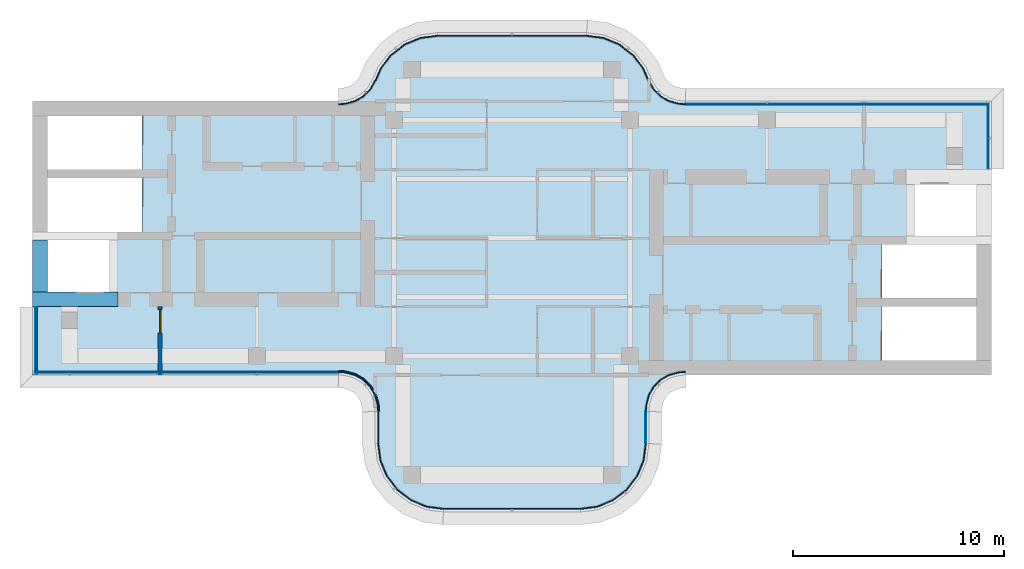
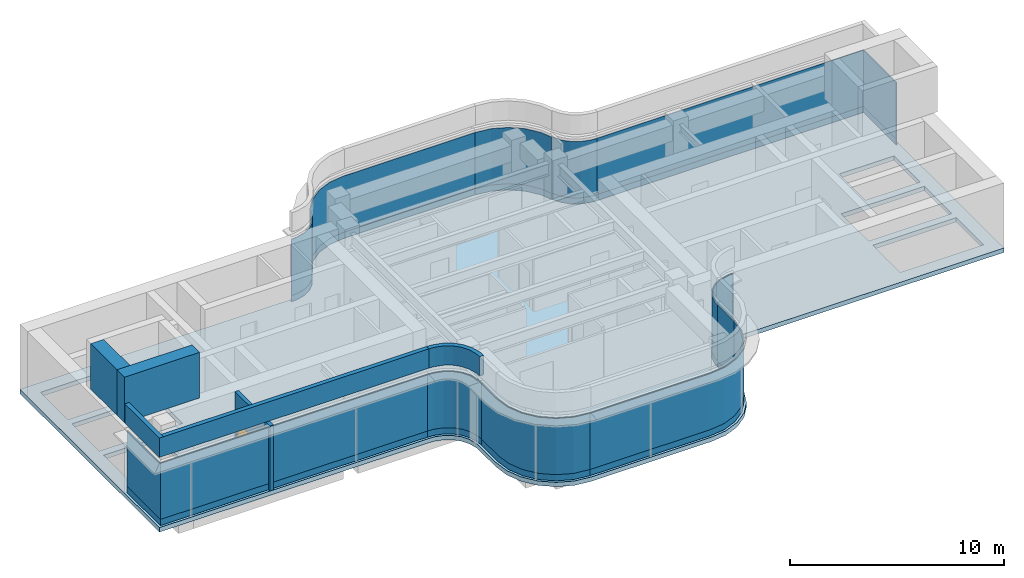
# One storey, part 5 of 9: 22 plates, 6 walls, 1 door, 1 slab, 1 opening, 11 elements without a shape of their own.
"""IFC4 building model written with IfcOpenShell, lengths in metres."""

from ifc_helpers import new_model, si_unit, direction, frame, frame_2d, origin, place, context, subcontext, project, spatial, polyline, rectangle, outline, extrude, source, transform, mapped, material, layer, layer_set, type_object, element, fill, aggregate, save


model = new_model("IFC4")

# Units and contexts
model_context = context("Model", 3, precision=1e-05, world=origin(), true_north=direction((0.0, 1.0)))
body_context = subcontext(model_context, "Body", "Model", "MODEL_VIEW")
ifc_project = project(units=[si_unit("LENGTHUNIT", "METRE"), si_unit("AREAUNIT", "SQUARE_METRE"), si_unit("VOLUMEUNIT", "CUBIC_METRE"), si_unit("PLANEANGLEUNIT", "RADIAN"), si_unit("MASSUNIT", "GRAM", prefix="KILO")], contexts=[model_context])

# Site, building, storey
site_placement = place(None, origin())
site = spatial("IfcSite", under=ifc_project, at=site_placement, CompositionType="ELEMENT")
building_placement = place(site_placement, origin())
building = spatial("IfcBuilding", under=site, at=building_placement, Name="Trellis Farm Tower", CompositionType="ELEMENT")
storey_placement = place(building_placement, frame((0.0, 0.0, 358.10009765625)))
storey = spatial("IfcBuildingStorey", under=building, at=storey_placement, Name="L81", CompositionType="ELEMENT", Elevation=358.10009765625)

# Curtain wall, plate
ifc_material_1 = material(Name="Aluminium and glass curtain wall", Category="aluminium")
ifc_layer_1 = layer(ifc_material_1, 0.176025390625)
ifc_layer_set_1 = layer_set([ifc_layer_1], Name="CROWN LANTERN CURTAIN WALL CW5")
curtain_wall_type = type_object("IfcCurtainWallType", Name="CROWN LANTERN CURTAIN WALL CW5", PredefinedType="NOTDEFINED", material=ifc_layer_set_1)
placement_1 = place(storey_placement, origin())
curtain_wall_1 = element("IfcCurtainWall", 1, at=placement_1, inside=storey, type_object=curtain_wall_type, Name="CW5 001", PredefinedType="NOTDEFINED")
ifc_material_2 = material(Name="Clear insulated glass", Category="glass")
ifc_layer_2 = layer(ifc_material_2, 0.055908203125)
ifc_layer_set_2 = layer_set([ifc_layer_2], Name="CW5 GLASS PANEL 56")
plate_type_1 = type_object("IfcPlateType", Name="CW5 GLASS PANEL 56", PredefinedType="CURTAIN_PANEL", material=ifc_layer_set_2)
placement_2 = place(storey_placement, frame((0.0, 0.0, 0.349853515625)))
plate_1 = element("IfcPlate", 2, at=placement_2, type_object=plate_type_1, Name="PL5 001", PredefinedType="CURTAIN_PANEL", context=body_context, shape_type="SweptSolid", body=[
    extrude(outline(polyline([(-6.3798828125, -8.2275390625), (-6.3798828125, -9.7421875), (-6.2724609375, -10.559814453125), (-5.959716796875, -11.314453125), (-5.46240234375, -11.96240234375), (-4.814453125, -12.459716796875), (-4.059814453125, -12.7724609375), (-3.2421875, -12.8798828125), (-3.238525390625, -12.823974609375), (-4.045166015625, -12.7177734375), (-4.7861328125, -12.410888671875), (-5.422607421875, -11.922607421875), (-5.910888671875, -11.2861328125), (-6.2177734375, -10.545166015625), (-6.323974609375, -9.738525390625), (-6.323974609375, -8.2255859375), (-6.3798828125, -8.2275390625)])), origin(), (0.0, 0.0, 1.0), 3.199951171875),
])

curtain_wall_2 = element("IfcCurtainWall", 3, at=placement_1, inside=storey, type_object=curtain_wall_type, Name="CW5 002", PredefinedType="NOTDEFINED")
plate_2 = element("IfcPlate", 4, at=placement_2, type_object=plate_type_1, Name="PL5 002", PredefinedType="CURTAIN_PANEL", context=body_context, shape_type="SweptSolid", body=[
    extrude(outline(polyline([(-3.2421875, -12.8798828125), (3.2421875, -12.8798828125), (4.059814453125, -12.7724609375), (4.814453125, -12.459716796875), (5.46240234375, -11.96240234375), (5.959716796875, -11.314453125), (6.2724609375, -10.559814453125), (6.3798828125, -9.7421875), (6.323974609375, -9.738525390625), (6.2177734375, -10.545166015625), (5.910888671875, -11.2861328125), (5.422607421875, -11.922607421875), (4.7861328125, -12.410888671875), (4.045166015625, -12.7177734375), (3.238525390625, -12.823974609375), (-3.238525390625, -12.823974609375), (-3.2421875, -12.8798828125)])), origin(), (0.0, 0.0, 1.0), 3.199951171875),
])

curtain_wall_3 = element("IfcCurtainWall", 5, at=placement_1, inside=storey, type_object=curtain_wall_type, Name="CW5 003", PredefinedType="NOTDEFINED")
plate_3 = element("IfcPlate", 6, at=placement_2, type_object=plate_type_1, Name="PL5 003", PredefinedType="CURTAIN_PANEL", context=body_context, shape_type="SweptSolid", body=[
    extrude(outline(polyline([(6.3798828125, -9.7421875), (6.3798828125, -8.2275390625), (6.323974609375, -8.2255859375), (6.323974609375, -9.738525390625), (6.3798828125, -9.7421875)])), origin(), (0.0, 0.0, 1.0), 3.199951171875),
])

curtain_wall_4 = element("IfcCurtainWall", 7, at=placement_1, inside=storey, type_object=curtain_wall_type, Name="CW5 004", PredefinedType="NOTDEFINED")
plate_4 = element("IfcPlate", 8, at=placement_2, type_object=plate_type_1, Name="PL5 004", PredefinedType="CURTAIN_PANEL", context=body_context, shape_type="SweptSolid", body=[
    extrude(outline(polyline([(6.3798828125, -8.2275390625), (6.394287109375, -8.0078125), (6.40966796875, -7.89208984375), (6.52490234375, -7.462158203125), (6.7509765625, -7.070556640625), (7.070556640625, -6.7509765625), (7.462158203125, -6.52490234375), (7.89208984375, -6.40966796875), (8.0078125, -6.394287109375), (8.2275390625, -6.3798828125), (8.2255859375, -6.323974609375), (8.002197265625, -6.338623046875), (7.881103515625, -6.3544921875), (7.440673828125, -6.47265625), (7.0361328125, -6.7060546875), (6.7060546875, -7.0361328125), (6.47265625, -7.440673828125), (6.3544921875, -7.881103515625), (6.338623046875, -8.002197265625), (6.323974609375, -8.2255859375), (6.3798828125, -8.2275390625)])), origin(), (0.0, 0.0, 1.0), 3.199951171875),
])

curtain_wall_5 = element("IfcCurtainWall", 9, at=placement_1, inside=storey, type_object=curtain_wall_type, Name="CW5 005", PredefinedType="NOTDEFINED")
plate_5 = element("IfcPlate", 10, at=placement_2, type_object=plate_type_1, Name="PL5 005", PredefinedType="CURTAIN_PANEL", context=body_context, shape_type="SweptSolid", body=[
    extrude(outline(polyline([(22.6298828125, 3.280029296875), (22.6298828125, 6.3798828125), (22.573974609375, 6.323974609375), (22.573974609375, 3.280029296875), (22.6298828125, 3.280029296875)])), origin(), (0.0, 0.0, 1.0), 3.199951171875),
])

curtain_wall_6 = element("IfcCurtainWall", 11, at=placement_1, inside=storey, type_object=curtain_wall_type, Name="CW5 006", PredefinedType="NOTDEFINED")
plate_6 = element("IfcPlate", 12, at=placement_2, type_object=plate_type_1, Name="PL5 006", PredefinedType="CURTAIN_PANEL", context=body_context, shape_type="SweptSolid", body=[
    extrude(outline(polyline([(22.6298828125, 6.3798828125), (8.2275390625, 6.3798828125), (8.2255859375, 6.323974609375), (22.573974609375, 6.323974609375), (22.6298828125, 6.3798828125)])), origin(), (0.0, 0.0, 1.0), 3.199951171875),
])

curtain_wall_7 = element("IfcCurtainWall", 13, at=placement_1, inside=storey, type_object=curtain_wall_type, Name="CW5 007", PredefinedType="NOTDEFINED")
plate_7 = element("IfcPlate", 14, at=placement_2, type_object=plate_type_1, Name="PL5 007", PredefinedType="CURTAIN_PANEL", context=body_context, shape_type="SweptSolid", body=[
    extrude(outline(polyline([(8.2275390625, 6.3798828125), (8.0078125, 6.394287109375), (7.89208984375, 6.40966796875), (7.462158203125, 6.52490234375), (7.070556640625, 6.7509765625), (6.7509765625, 7.070556640625), (6.5283203125, 7.4560546875), (6.490478515625, 7.547607421875), (6.4697265625, 7.5390625), (6.251953125, 8.064453125), (5.754638671875, 8.71240234375), (5.106689453125, 9.209716796875), (4.35205078125, 9.5224609375), (3.534423828125, 9.6298828125), (3.53076171875, 9.573974609375), (4.33740234375, 9.4677734375), (5.078369140625, 9.160888671875), (5.71484375, 8.672607421875), (6.203125, 8.0361328125), (6.439453125, 7.4658203125), (6.460205078125, 7.474365234375), (6.47802734375, 7.431396484375), (6.7060546875, 7.0361328125), (7.0361328125, 6.7060546875), (7.440673828125, 6.47265625), (7.881103515625, 6.3544921875), (8.002197265625, 6.338623046875), (8.2255859375, 6.323974609375), (8.2275390625, 6.3798828125)])), origin(), (0.0, 0.0, 1.0), 3.199951171875),
])

curtain_wall_8 = element("IfcCurtainWall", 15, at=placement_1, inside=storey, type_object=curtain_wall_type, Name="CW5 008", PredefinedType="NOTDEFINED")
plate_8 = element("IfcPlate", 16, at=placement_2, type_object=plate_type_1, Name="PL5 008", PredefinedType="CURTAIN_PANEL", context=body_context, shape_type="SweptSolid", body=[
    extrude(outline(polyline([(3.534423828125, 9.6298828125), (-3.534423828125, 9.6298828125), (-4.35205078125, 9.5224609375), (-5.106689453125, 9.209716796875), (-5.754638671875, 8.71240234375), (-6.251953125, 8.064453125), (-6.4697265625, 7.5390625), (-6.490478515625, 7.547607421875), (-6.5283203125, 7.4560546875), (-6.7509765625, 7.070556640625), (-7.070556640625, 6.7509765625), (-7.462158203125, 6.52490234375), (-7.89208984375, 6.40966796875), (-8.0078125, 6.394287109375), (-8.2275390625, 6.3798828125), (-8.2255859375, 6.323974609375), (-8.002197265625, 6.338623046875), (-7.881103515625, 6.3544921875), (-7.440673828125, 6.47265625), (-7.0361328125, 6.7060546875), (-6.7060546875, 7.0361328125), (-6.47802734375, 7.431396484375), (-6.460205078125, 7.474365234375), (-6.439453125, 7.4658203125), (-6.203125, 8.0361328125), (-5.71484375, 8.672607421875), (-5.078369140625, 9.160888671875), (-4.33740234375, 9.4677734375), (-3.53076171875, 9.573974609375), (3.53076171875, 9.573974609375), (3.534423828125, 9.6298828125)])), origin(), (0.0, 0.0, 1.0), 3.199951171875),
])

curtain_wall_9 = element("IfcCurtainWall", 17, at=placement_1, inside=storey, type_object=curtain_wall_type, Name="CW5 009", PredefinedType="NOTDEFINED")
plate_9 = element("IfcPlate", 18, at=placement_2, type_object=plate_type_1, Name="PL5 009", PredefinedType="CURTAIN_PANEL", context=body_context, shape_type="SweptSolid", body=[
    extrude(outline(polyline([(-22.6298828125, -3.280029296875), (-22.6298828125, -6.3798828125), (-22.573974609375, -6.323974609375), (-22.573974609375, -3.280029296875), (-22.6298828125, -3.280029296875)])), origin(), (0.0, 0.0, 1.0), 3.199951171875),
])

curtain_wall_10 = element("IfcCurtainWall", 19, at=placement_1, inside=storey, type_object=curtain_wall_type, Name="CW5 010", PredefinedType="NOTDEFINED")
plate_10 = element("IfcPlate", 20, at=placement_2, type_object=plate_type_1, Name="PL5 010", PredefinedType="CURTAIN_PANEL", context=body_context, shape_type="SweptSolid", body=[
    extrude(outline(polyline([(-22.6298828125, -6.3798828125), (-8.2275390625, -6.3798828125), (-8.2255859375, -6.323974609375), (-22.573974609375, -6.323974609375), (-22.6298828125, -6.3798828125)])), origin(), (0.0, 0.0, 1.0), 3.199951171875),
])

curtain_wall_11 = element("IfcCurtainWall", 21, at=placement_1, inside=storey, type_object=curtain_wall_type, Name="CW5 011", PredefinedType="NOTDEFINED")
plate_11 = element("IfcPlate", 22, at=placement_2, type_object=plate_type_1, Name="PL5 011", PredefinedType="CURTAIN_PANEL", context=body_context, shape_type="SweptSolid", body=[
    extrude(outline(polyline([(-8.2275390625, -6.3798828125), (-8.0078125, -6.394287109375), (-7.89208984375, -6.40966796875), (-7.462158203125, -6.52490234375), (-7.070556640625, -6.7509765625), (-6.7509765625, -7.070556640625), (-6.52490234375, -7.462158203125), (-6.40966796875, -7.89208984375), (-6.394287109375, -8.0078125), (-6.3798828125, -8.2275390625), (-6.323974609375, -8.2255859375), (-6.338623046875, -8.002197265625), (-6.3544921875, -7.881103515625), (-6.47265625, -7.440673828125), (-6.7060546875, -7.0361328125), (-7.0361328125, -6.7060546875), (-7.440673828125, -6.47265625), (-7.881103515625, -6.3544921875), (-8.002197265625, -6.338623046875), (-8.2255859375, -6.323974609375), (-8.2275390625, -6.3798828125)])), origin(), (0.0, 0.0, 1.0), 3.199951171875),
])

# Plate
ifc_material_3 = material(Name="Sandstone faced insulated panel", Category="masonry")
ifc_layer_3 = layer(ifc_material_3, 0.044921875)
ifc_layer_set_3 = layer_set([ifc_layer_3], Name="CW5 STONE SPANDREL PANEL 45")
plate_type_2 = type_object("IfcPlateType", Name="CW5 STONE SPANDREL PANEL 45", PredefinedType="CURTAIN_PANEL", material=ifc_layer_set_3)
plate_12 = element("IfcPlate", 23, at=placement_1, type_object=plate_type_2, Name="PS5 002", PredefinedType="CURTAIN_PANEL", context=body_context, shape_type="SweptSolid", body=[
    extrude(outline(polyline([(-3.2421875, -12.8798828125), (3.2421875, -12.8798828125), (4.059814453125, -12.7724609375), (4.814453125, -12.459716796875), (5.46240234375, -11.96240234375), (5.959716796875, -11.314453125), (6.2724609375, -10.559814453125), (6.3798828125, -9.7421875), (6.3349609375, -9.7392578125), (6.228515625, -10.548095703125), (5.92041015625, -11.291748046875), (5.430419921875, -11.930419921875), (4.791748046875, -12.42041015625), (4.048095703125, -12.728515625), (3.2392578125, -12.8349609375), (-3.2392578125, -12.8349609375), (-3.2421875, -12.8798828125)])), origin(), (0.0, 0.0, 1.0), 0.349853515625),
])

aggregate(curtain_wall_2, [plate_2, plate_12])

plate_13 = element("IfcPlate", 24, at=placement_1, type_object=plate_type_2, Name="PS5 008", PredefinedType="CURTAIN_PANEL", context=body_context, shape_type="SweptSolid", body=[
    extrude(outline(polyline([(3.534423828125, 9.6298828125), (-3.534423828125, 9.6298828125), (-4.35205078125, 9.5224609375), (-5.106689453125, 9.209716796875), (-5.754638671875, 8.71240234375), (-6.251953125, 8.064453125), (-6.4697265625, 7.5390625), (-6.490478515625, 7.547607421875), (-6.5283203125, 7.4560546875), (-6.7509765625, 7.070556640625), (-7.070556640625, 6.7509765625), (-7.462158203125, 6.52490234375), (-7.89208984375, 6.40966796875), (-8.0078125, 6.394287109375), (-8.2275390625, 6.3798828125), (-8.22607421875, 6.3349609375), (-8.00341796875, 6.349609375), (-7.88330078125, 6.365478515625), (-7.44482421875, 6.48291015625), (-7.04296875, 6.71484375), (-6.71484375, 7.04296875), (-6.48779296875, 7.436279296875), (-6.466064453125, 7.48876953125), (-6.4453125, 7.480224609375), (-6.212646484375, 8.041748046875), (-5.72265625, 8.680419921875), (-5.083984375, 9.17041015625), (-4.34033203125, 9.478515625), (-3.531494140625, 9.5849609375), (3.531494140625, 9.5849609375), (3.534423828125, 9.6298828125)])), origin(), (0.0, 0.0, 1.0), 0.349853515625),
])

aggregate(curtain_wall_8, [plate_8, plate_13])

# Slab
ifc_material_4 = material(Name="Concrete C40/50", Category="concrete")
ifc_layer_4 = layer(ifc_material_4, 0.25)
ifc_layer_set_4 = layer_set([ifc_layer_4], Name="Composite deck floor slab 250")
slab_type = type_object("IfcSlabType", Name="Composite deck floor slab 250", PredefinedType="FLOOR", material=ifc_layer_set_4)
shared_shape_1 = source(origin(), body_context, "Body", "SweptSolid", [
    extrude(outline(polyline([(-22.75, 6.5), (-8.2314453125, 6.5), (-8.01953125, 6.513916015625), (-7.91552734375, 6.527587890625), (-7.508544921875, 6.63671875), (-7.144287109375, 6.846923828125), (-6.846923828125, 7.144287109375), (-6.63623046875, 7.50927734375), (-6.555419921875, 7.704345703125), (-6.53466796875, 7.69580078125), (-6.356689453125, 8.125), (-5.84033203125, 8.798095703125), (-5.167236328125, 9.314697265625), (-4.38330078125, 9.639404296875), (-3.542236328125, 9.75), (3.542236328125, 9.75), (4.38330078125, 9.639404296875), (5.167236328125, 9.314697265625), (5.84033203125, 8.798095703125), (6.356689453125, 8.125), (6.53466796875, 7.69580078125), (6.555419921875, 7.704345703125), (6.63623046875, 7.50927734375), (6.846923828125, 7.144287109375), (7.144287109375, 6.846923828125), (7.508544921875, 6.63671875), (7.91552734375, 6.527587890625), (8.01953125, 6.513916015625), (8.2314453125, 6.5), (22.75, 6.5), (22.75, -6.5), (8.2314453125, -6.5), (8.01953125, -6.513916015625), (7.91552734375, -6.527587890625), (7.508544921875, -6.63671875), (7.144287109375, -6.846923828125), (6.846923828125, -7.144287109375), (6.63671875, -7.508544921875), (6.527587890625, -7.91552734375), (6.513916015625, -8.01953125), (6.5, -8.2314453125), (6.5, -9.75), (6.389404296875, -10.59130859375), (6.064697265625, -11.375), (5.548095703125, -12.048095703125), (4.875, -12.564697265625), (4.09130859375, -12.889404296875), (3.25, -13.0), (-3.25, -13.0), (-4.09130859375, -12.889404296875), (-4.875, -12.564697265625), (-5.548095703125, -12.048095703125), (-6.064697265625, -11.375), (-6.389404296875, -10.59130859375), (-6.5, -9.75), (-6.5, -8.2314453125), (-6.513916015625, -8.01953125), (-6.527587890625, -7.91552734375), (-6.63671875, -7.508544921875), (-6.846923828125, -7.144287109375), (-7.144287109375, -6.846923828125), (-7.508544921875, -6.63671875), (-7.91552734375, -6.527587890625), (-8.01953125, -6.513916015625), (-8.2314453125, -6.5), (-22.75, -6.5), (-22.75, 6.5)]), holes=[polyline([(22.050048828125, -5.800048828125), (22.050048828125, -3.25), (17.56005859375, -3.25), (17.56005859375, -4.449951171875), (17.550048828125, -4.449951171875), (17.550048828125, -4.60009765625), (17.56201171875, -4.60009765625), (17.56201171875, -5.800048828125), (22.050048828125, -5.800048828125)]), polyline([(17.56201171875, -2.85009765625), (22.050048828125, -2.85009765625), (22.050048828125, -0.300048828125), (17.56005859375, -0.300048828125), (17.56005859375, -1.5), (17.550048828125, -1.5), (17.550048828125, -1.64990234375), (17.56201171875, -1.64990234375), (17.56201171875, -2.85009765625)]), polyline([(-22.050048828125, -2.550048828125), (-19.10009765625, -2.550048828125), (-19.10009765625, -0.10009765625), (-22.050048828125, -0.10009765625), (-22.050048828125, -2.550048828125)]), polyline([(19.10009765625, 2.550048828125), (19.10009765625, 0.10009765625), (22.050048828125, 0.10009765625), (22.050048828125, 2.550048828125), (19.10009765625, 2.550048828125)]), polyline([(-17.56201171875, 2.85009765625), (-22.050048828125, 2.85009765625), (-22.050048828125, 0.300048828125), (-17.56005859375, 0.300048828125), (-17.56005859375, 1.5), (-17.550048828125, 1.5), (-17.550048828125, 1.64990234375), (-17.56201171875, 1.64990234375), (-17.56201171875, 2.85009765625)]), polyline([(-17.56201171875, 5.800048828125), (-22.050048828125, 5.800048828125), (-22.050048828125, 3.25), (-17.56005859375, 3.25), (-17.56005859375, 4.449951171875), (-17.550048828125, 4.449951171875), (-17.550048828125, 4.60009765625), (-17.56201171875, 4.60009765625), (-17.56201171875, 5.800048828125)])]), origin(), (0.0, 0.0, 1.0), 0.25),
])
slab_placement = place(storey_placement, frame((0.0, 0.0, -0.25)))
element("IfcSlab", 25, at=slab_placement, inside=storey, type_object=slab_type, Name="Floor slab", PredefinedType="FLOOR", context=body_context, shape_type="MappedRepresentation", body=[
    mapped(shared_shape_1, transform((0.0, 0.0, 0.0))),
])

# Plate
shared_shape_2 = source(origin(), body_context, "Body", "SweptSolid", [
    extrude(outline(polyline([(6.3798828125, -8.2275390625), (6.394287109375, -8.0078125), (6.40966796875, -7.89208984375), (6.52490234375, -7.462158203125), (6.7509765625, -7.070556640625), (7.070556640625, -6.7509765625), (7.462158203125, -6.52490234375), (7.89208984375, -6.40966796875), (8.0078125, -6.394287109375), (8.2275390625, -6.3798828125), (8.22607421875, -6.3349609375), (8.00341796875, -6.349609375), (7.88330078125, -6.365478515625), (7.44482421875, -6.48291015625), (7.04296875, -6.71484375), (6.71484375, -7.04296875), (6.48291015625, -7.44482421875), (6.365478515625, -7.88330078125), (6.349609375, -8.00341796875), (6.3349609375, -8.22607421875), (6.3798828125, -8.2275390625)])), origin(), (0.0, 0.0, 1.0), 0.349853515625),
])
plate_14 = element("IfcPlate", 26, at=placement_1, type_object=plate_type_2, Name="PS5 004", PredefinedType="CURTAIN_PANEL", context=body_context, shape_type="MappedRepresentation", body=[
    mapped(shared_shape_2, transform((0.0, 0.0, 0.0))),
])

aggregate(curtain_wall_4, [plate_4, plate_14])

shared_shape_3 = source(origin(), body_context, "Body", "SweptSolid", [
    extrude(outline(polyline([(22.6298828125, 6.3798828125), (8.2275390625, 6.3798828125), (8.22607421875, 6.3349609375), (22.5849609375, 6.3349609375), (22.6298828125, 6.3798828125)])), origin(), (0.0, 0.0, 1.0), 0.349853515625),
])
plate_15 = element("IfcPlate", 27, at=placement_1, type_object=plate_type_2, Name="PS5 006", PredefinedType="CURTAIN_PANEL", context=body_context, shape_type="MappedRepresentation", body=[
    mapped(shared_shape_3, transform((0.0, 0.0, 0.0))),
])

aggregate(curtain_wall_6, [plate_6, plate_15])

shared_shape_4 = source(origin(), body_context, "Body", "SweptSolid", [
    extrude(outline(polyline([(-22.6298828125, -6.3798828125), (-8.2275390625, -6.3798828125), (-8.22607421875, -6.3349609375), (-22.5849609375, -6.3349609375), (-22.6298828125, -6.3798828125)])), origin(), (0.0, 0.0, 1.0), 0.349853515625),
])
plate_16 = element("IfcPlate", 28, at=placement_1, type_object=plate_type_2, Name="PS5 010", PredefinedType="CURTAIN_PANEL", context=body_context, shape_type="MappedRepresentation", body=[
    mapped(shared_shape_4, transform((0.0, 0.0, 0.0))),
])

aggregate(curtain_wall_10, [plate_10, plate_16])

shared_shape_5 = source(origin(), body_context, "Body", "SweptSolid", [
    extrude(outline(polyline([(-8.2275390625, -6.3798828125), (-8.0078125, -6.394287109375), (-7.89208984375, -6.40966796875), (-7.462158203125, -6.52490234375), (-7.070556640625, -6.7509765625), (-6.7509765625, -7.070556640625), (-6.52490234375, -7.462158203125), (-6.40966796875, -7.89208984375), (-6.394287109375, -8.0078125), (-6.3798828125, -8.2275390625), (-6.3349609375, -8.22607421875), (-6.349609375, -8.00341796875), (-6.365478515625, -7.88330078125), (-6.48291015625, -7.44482421875), (-6.71484375, -7.04296875), (-7.04296875, -6.71484375), (-7.44482421875, -6.48291015625), (-7.88330078125, -6.365478515625), (-8.00341796875, -6.349609375), (-8.22607421875, -6.3349609375), (-8.2275390625, -6.3798828125)])), origin(), (0.0, 0.0, 1.0), 0.349853515625),
])
plate_17 = element("IfcPlate", 29, at=placement_1, type_object=plate_type_2, Name="PS5 011", PredefinedType="CURTAIN_PANEL", context=body_context, shape_type="MappedRepresentation", body=[
    mapped(shared_shape_5, transform((0.0, 0.0, 0.0))),
])

aggregate(curtain_wall_11, [plate_11, plate_17])

shared_shape_6 = source(origin(), body_context, "Body", "SweptSolid", [
    extrude(outline(polyline([(22.6298828125, 3.280029296875), (22.6298828125, 6.3798828125), (22.5849609375, 6.3349609375), (22.5849609375, 3.280029296875), (22.6298828125, 3.280029296875)])), origin(), (0.0, 0.0, 1.0), 0.349853515625),
])
plate_18 = element("IfcPlate", 30, at=placement_1, type_object=plate_type_2, Name="PS5 005", PredefinedType="CURTAIN_PANEL", context=body_context, shape_type="MappedRepresentation", body=[
    mapped(shared_shape_6, transform((0.0, 0.0, 0.0))),
])

aggregate(curtain_wall_5, [plate_5, plate_18])

shared_shape_7 = source(origin(), body_context, "Body", "SweptSolid", [
    extrude(outline(polyline([(-22.6298828125, -3.280029296875), (-22.6298828125, -6.3798828125), (-22.5849609375, -6.3349609375), (-22.5849609375, -3.280029296875), (-22.6298828125, -3.280029296875)])), origin(), (0.0, 0.0, 1.0), 0.349853515625),
])
plate_19 = element("IfcPlate", 31, at=placement_1, type_object=plate_type_2, Name="PS5 009", PredefinedType="CURTAIN_PANEL", context=body_context, shape_type="MappedRepresentation", body=[
    mapped(shared_shape_7, transform((0.0, 0.0, 0.0))),
])

aggregate(curtain_wall_9, [plate_9, plate_19])

shared_shape_8 = source(origin(), body_context, "Body", "SweptSolid", [
    extrude(outline(polyline([(-6.3798828125, -8.2275390625), (-6.3798828125, -9.7421875), (-6.2724609375, -10.559814453125), (-5.959716796875, -11.314453125), (-5.46240234375, -11.96240234375), (-4.814453125, -12.459716796875), (-4.059814453125, -12.7724609375), (-3.2421875, -12.8798828125), (-3.2392578125, -12.8349609375), (-4.048095703125, -12.728515625), (-4.791748046875, -12.42041015625), (-5.430419921875, -11.930419921875), (-5.92041015625, -11.291748046875), (-6.228515625, -10.548095703125), (-6.3349609375, -9.7392578125), (-6.3349609375, -8.22607421875), (-6.3798828125, -8.2275390625)])), origin(), (0.0, 0.0, 1.0), 0.349853515625),
])
plate_20 = element("IfcPlate", 32, at=placement_1, type_object=plate_type_2, Name="PS5 001", PredefinedType="CURTAIN_PANEL", context=body_context, shape_type="MappedRepresentation", body=[
    mapped(shared_shape_8, transform((0.0, 0.0, 0.0))),
])

aggregate(curtain_wall_1, [plate_1, plate_20])

shared_shape_9 = source(origin(), body_context, "Body", "SweptSolid", [
    extrude(outline(polyline([(6.3798828125, -9.7421875), (6.3798828125, -8.2275390625), (6.3349609375, -8.22607421875), (6.3349609375, -9.7392578125), (6.3798828125, -9.7421875)])), origin(), (0.0, 0.0, 1.0), 0.349853515625),
])
plate_21 = element("IfcPlate", 33, at=placement_1, type_object=plate_type_2, Name="PS5 003", PredefinedType="CURTAIN_PANEL", context=body_context, shape_type="MappedRepresentation", body=[
    mapped(shared_shape_9, transform((0.0, 0.0, 0.0))),
])

aggregate(curtain_wall_3, [plate_3, plate_21])

shared_shape_10 = source(origin(), body_context, "Body", "SweptSolid", [
    extrude(outline(polyline([(8.2275390625, 6.3798828125), (8.0078125, 6.394287109375), (7.89208984375, 6.40966796875), (7.462158203125, 6.52490234375), (7.070556640625, 6.7509765625), (6.7509765625, 7.070556640625), (6.5283203125, 7.4560546875), (6.490478515625, 7.547607421875), (6.4697265625, 7.5390625), (6.251953125, 8.064453125), (5.754638671875, 8.71240234375), (5.106689453125, 9.209716796875), (4.35205078125, 9.5224609375), (3.534423828125, 9.6298828125), (3.531494140625, 9.5849609375), (4.34033203125, 9.478515625), (5.083984375, 9.17041015625), (5.72265625, 8.680419921875), (6.212646484375, 8.041748046875), (6.4453125, 7.480224609375), (6.466064453125, 7.48876953125), (6.48779296875, 7.436279296875), (6.71484375, 7.04296875), (7.04296875, 6.71484375), (7.44482421875, 6.48291015625), (7.88330078125, 6.365478515625), (8.00341796875, 6.349609375), (8.22607421875, 6.3349609375), (8.2275390625, 6.3798828125)])), origin(), (0.0, 0.0, 1.0), 0.349853515625),
])
plate_22 = element("IfcPlate", 34, at=placement_1, type_object=plate_type_2, Name="PS5 007", PredefinedType="CURTAIN_PANEL", context=body_context, shape_type="MappedRepresentation", body=[
    mapped(shared_shape_10, transform((0.0, 0.0, 0.0))),
])

aggregate(curtain_wall_7, [plate_7, plate_22])

# Wall
ifc_material_5 = material(Name="Sandstone faced insulated wall", Category="masonry")
ifc_layer_5 = layer(ifc_material_5, 0.22509765625)
ifc_layer_set_5 = layer_set([ifc_layer_5], Name="PARAPET WALL 225")
wall_type_1 = type_object("IfcWallType", Name="PARAPET WALL 225", PredefinedType="PARAPET", material=ifc_layer_set_5)
wall_1_placement = place(storey_placement, frame((0.0, 0.0, 4.0)))
element("IfcWall", 35, at=wall_1_placement, inside=storey, type_object=wall_type_1, Name="EW3 14", PredefinedType="PARAPET", context=body_context, shape_type="SweptSolid", body=[
    extrude(outline(polyline([(-8.2314453125, -6.5), (-8.01953125, -6.513916015625), (-7.91552734375, -6.527587890625), (-7.508544921875, -6.63671875), (-7.144287109375, -6.846923828125), (-6.846923828125, -7.144287109375), (-6.63671875, -7.508544921875), (-6.527587890625, -7.91552734375), (-6.513916015625, -8.01953125), (-6.5, -8.2314453125), (-6.27490234375, -8.22412109375), (-6.289794921875, -7.99755859375), (-6.306396484375, -7.87158203125), (-6.427001953125, -7.421630859375), (-6.6669921875, -7.006103515625), (-7.006103515625, -6.6669921875), (-7.421630859375, -6.427001953125), (-7.87158203125, -6.306396484375), (-7.99755859375, -6.289794921875), (-8.22412109375, -6.27490234375), (-8.2314453125, -6.5)])), origin(), (0.0, 0.0, 1.0), 1.099853515625),
])

# Wall, opening, door
ifc_material_6 = material(Name="Masonry blockwork", Category="masonry")
ifc_layer_6 = layer(ifc_material_6, 0.199951171875)
ifc_layer_set_6 = layer_set([ifc_layer_6], Name="FIRE LOBBY PARTITION 200 BLOCKWORK")
wall_type_2 = type_object("IfcWallType", Name="FIRE LOBBY PARTITION 200 BLOCKWORK", PredefinedType="PARTITIONING", material=ifc_layer_set_6)
shared_shape_11 = source(origin(), body_context, "Body", "SweptSolid", [
    extrude(rectangle(XDim=3.25, YDim=0.199951171875, at=frame_2d((1.625, 0.0))), origin(), (0.0, 0.0, 1.0), 3.699951171875),
])
wall_2_placement = place(storey_placement, frame((-16.699951171875, -3.25, 0.0), z_axis=(0.0, 0.0, 1.0), x_axis=(0.0, -1.0, 0.0)))
wall_2 = element("IfcWall", 36, at=wall_2_placement, inside=storey, type_object=wall_type_2, Name="Fire-fighting lobby partition", PredefinedType="PARTITIONING", context=body_context, shape_type="MappedRepresentation", body=[
    mapped(shared_shape_11, transform((0.0, 0.0, 0.0))),
])
shared_shape_12 = source(origin(), body_context, "Body", "SweptSolid", [
    extrude(rectangle(XDim=1.10009765625, YDim=2.10009765625, at=frame_2d((0.550048828125, 1.050048828125))), frame((0.0, 0.110107421875, 0.0), z_axis=(0.0, -1.0, 0.0), x_axis=(1.0, 0.0, 0.0)), (0.0, 0.0, 1.0), 0.22021484375),
])
opening_placement = place(wall_2_placement, frame((0.14990234375, 0.0, 0.0)))
opening = element("IfcOpeningElement", 37, at=opening_placement, cuts=wall_2, Name="Opening DC93", PredefinedType="OPENING", context=body_context, shape_type="MappedRepresentation", body=[
    mapped(shared_shape_12, transform((0.0, 0.0, 0.0))),
])
ifc_material_7 = material(Name="Steel", Category="steel")
door_type = type_object("IfcDoorType", Name="CORE FIRE DOOR 1100 X 2100", OperationType="NOTDEFINED", PredefinedType="DOOR", material=ifc_material_7)
shared_shape_13 = source(origin(), body_context, "Body", "SweptSolid", [
    extrude(rectangle(XDim=1.10009765625, YDim=2.10009765625, at=frame_2d((0.550048828125, 1.050048828125))), frame((0.0, 0.02490234375, 0.0), z_axis=(0.0, -1.0, 0.0), x_axis=(1.0, 0.0, 0.0)), (0.0, 0.0, 1.0), 0.050048828125),
])
door_placement = place(opening_placement, origin())
door = element("IfcDoor", 38, at=door_placement, inside=storey, type_object=door_type, Name="Core door", OperationType="SINGLE_SWING_RIGHT", OverallHeight=2.10009765625, OverallWidth=1.10009765625, PredefinedType="DOOR", context=body_context, shape_type="MappedRepresentation", body=[
    mapped(shared_shape_13, transform((0.0, 0.0, 0.0))),
])
fill(opening, door)

# Walls
ifc_material_8 = material(Name="Concrete C50/60", Category="concrete")
ifc_layer_7 = layer(ifc_material_8, 0.39990234375)
ifc_layer_set_7 = layer_set([ifc_layer_7], Name="LIFT OVERRUN HOUSING WALL 400 CONCRETE C50/60")
wall_type_3 = type_object("IfcWallType", Name="LIFT OVERRUN HOUSING WALL 400 CONCRETE C50/60", PredefinedType="SHEAR", material=ifc_layer_set_7)
shared_shape_14 = source(origin(), body_context, "Body", "SweptSolid", [
    extrude(rectangle(XDim=4.050048828125, YDim=0.699951171875, at=frame_2d((2.02490234375, 0.0))), origin(), (0.0, 0.0, 1.0), 2.599853515625),
])
wall_3_placement = place(storey_placement, frame((-18.699951171875, -2.89990234375, 4.0), z_axis=(0.0, 0.0, 1.0), x_axis=(-1.0, 0.0, 0.0)))
element("IfcWall", 39, at=wall_3_placement, inside=storey, type_object=wall_type_3, Name="Lift overrun housing wall", PredefinedType="SHEAR", context=body_context, shape_type="MappedRepresentation", body=[
    mapped(shared_shape_14, transform((0.0, 0.0, 0.0))),
])
shared_shape_15 = source(origin(), body_context, "Body", "SweptSolid", [
    extrude(rectangle(XDim=2.449951171875, YDim=0.699951171875, at=frame_2d((1.22509765625, 0.0))), origin(), (0.0, 0.0, 1.0), 2.599853515625),
])
wall_4_placement = place(storey_placement, frame((-22.39990234375, -0.10009765625, 4.0), z_axis=(0.0, 0.0, 1.0), x_axis=(0.0, -1.0, 0.0)))
element("IfcWall", 40, at=wall_4_placement, inside=storey, type_object=wall_type_3, Name="Lift overrun housing wall", PredefinedType="SHEAR", context=body_context, shape_type="MappedRepresentation", body=[
    mapped(shared_shape_15, transform((0.0, 0.0, 0.0))),
])
shared_shape_16 = source(origin(), body_context, "Body", "SweptSolid", [
    extrude(rectangle(XDim=3.219970703125, YDim=0.22509765625, at=frame_2d((1.60986328125, 0.0))), origin(), (0.0, 0.0, 1.0), 1.099853515625),
])
wall_5_placement = place(storey_placement, frame((-22.637451171875, -3.280029296875, 4.0), z_axis=(0.0, 0.0, 1.0), x_axis=(0.0, -1.0, 0.0)))
element("IfcWall", 41, at=wall_5_placement, inside=storey, type_object=wall_type_1, Name="EW3 12", PredefinedType="PARAPET", context=body_context, shape_type="MappedRepresentation", body=[
    mapped(shared_shape_16, transform((0.0, 0.0, 0.0))),
])
shared_shape_17 = source(origin(), body_context, "Body", "SweptSolid", [
    extrude(rectangle(XDim=14.5185546875, YDim=0.22509765625, at=frame_2d((7.25927734375, 0.0))), origin(), (0.0, 0.0, 1.0), 1.099853515625),
])
wall_6_placement = place(storey_placement, frame((-22.75, -6.387451171875, 4.0), z_axis=(0.0, 0.0, 1.0), x_axis=(1.0, 0.0, 0.0)))
element("IfcWall", 42, at=wall_6_placement, inside=storey, type_object=wall_type_1, Name="EW3 13", PredefinedType="PARAPET", context=body_context, shape_type="MappedRepresentation", body=[
    mapped(shared_shape_17, transform((0.0, 0.0, 0.0))),
])

save(model, "model.ifc")
